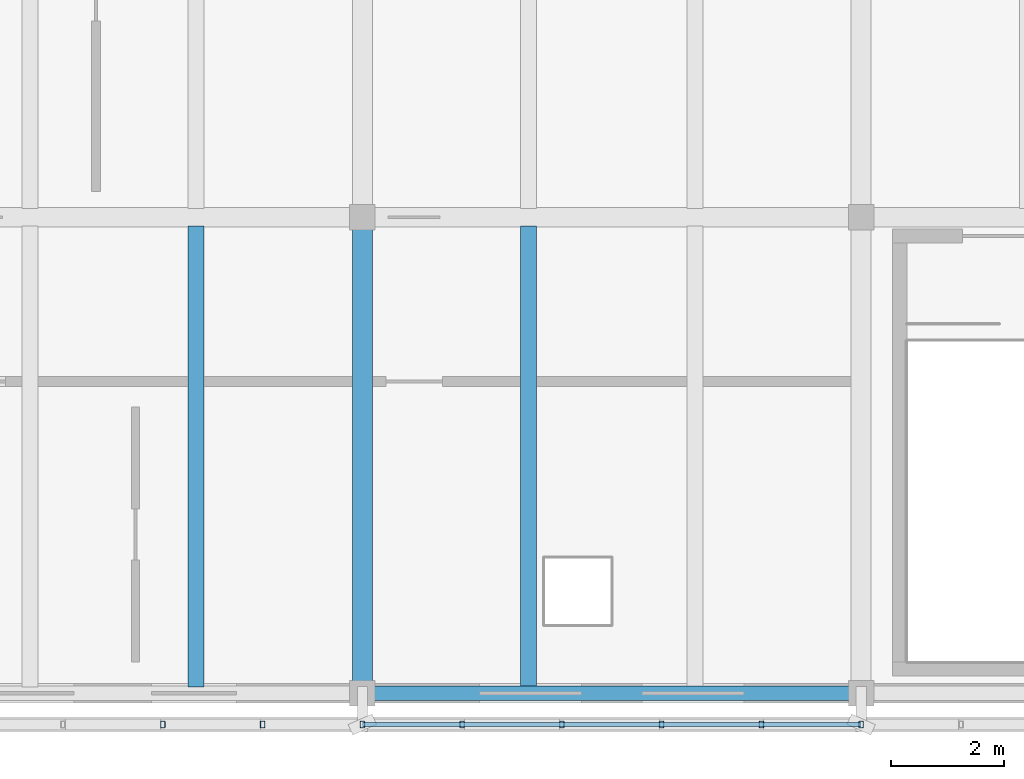
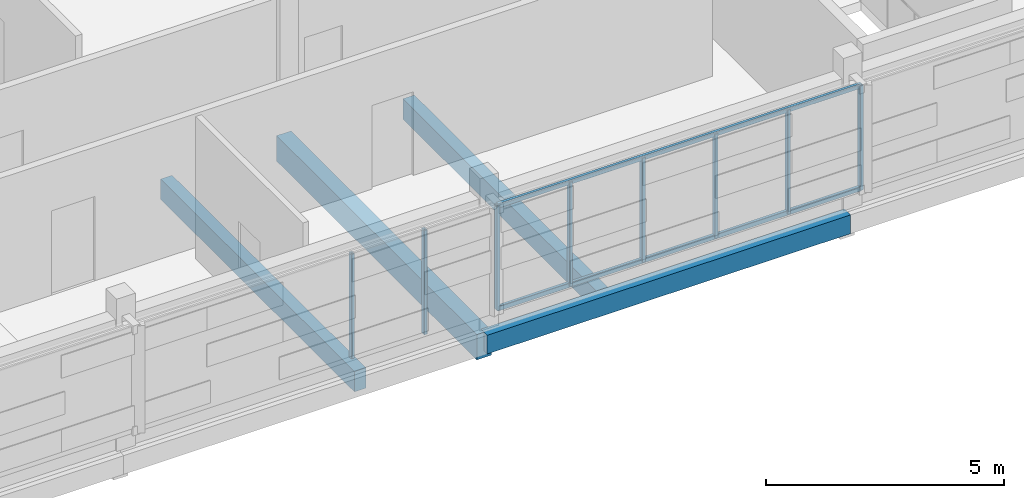
# One storey, part 25 of 117: 10 members, 4 beams.
"""IFC4 building model written with IfcOpenShell, lengths in metres."""

from ifc_helpers import new_model, si_unit, direction, frame, origin, origin_2d, place, context, subcontext, project, spatial, rectangle, hollow_rectangle, extrude, material, material_profile, profile_set, type_object, element, save


model = new_model("IFC4")

# Units and contexts
model_context = context("Model", 3, precision=1e-05, world=origin(), true_north=direction((0.0, 1.0)))
body_context = subcontext(model_context, "Body", "Model", "MODEL_VIEW")
ifc_project = project(units=[si_unit("LENGTHUNIT", "METRE"), si_unit("AREAUNIT", "SQUARE_METRE"), si_unit("VOLUMEUNIT", "CUBIC_METRE"), si_unit("PLANEANGLEUNIT", "RADIAN"), si_unit("MASSUNIT", "GRAM", prefix="KILO")], contexts=[model_context])

# Site, building, storey
site_placement = place(None, origin())
site = spatial("IfcSite", under=ifc_project, at=site_placement, CompositionType="ELEMENT")
building_placement = place(site_placement, origin())
building = spatial("IfcBuilding", under=site, at=building_placement, Name="Cinderway Yard Community Centre", CompositionType="ELEMENT")
storey_placement = place(building_placement, frame((0.0, 0.0, 9.0)))
storey = spatial("IfcBuildingStorey", under=building, at=storey_placement, Name="L02", CompositionType="ELEMENT", Elevation=9.0)

# Members
ifc_material_1 = material(Name="Steel S355", Category="steel")
ifc_material_profile_1 = material_profile(ifc_material_1, hollow_rectangle(XDim=0.080078125, YDim=0.1201171875, WallThickness=0.00634765625, InnerFilletRadius=0.00634765625, OuterFilletRadius=0.0126953125, at=origin_2d()), Name="Steel S355")
ifc_profile_set_1 = profile_set([ifc_material_profile_1], Name="Steel S355")
member_type = type_object("IfcMemberType", Name="ENV-MEM-SCREEN-RAIL-120", PredefinedType="STRINGER", material=ifc_profile_set_1)
for number, where, z_axis, x_axis, name in (
    (1, (89.280029296875, 5.449951171875, 0.68994140625), (0.0, 0.0, 1.0), (1.0, 0.0, 0.0), "Screen vertical mullion 0671"),
    (2, (91.0400390625, 5.449951171875, 0.68994140625), (0.0, 0.0, 1.0), (1.0, 0.0, 0.0), "Screen vertical mullion 0672"),
    (3, (92.800048828125, 5.449951171875, 0.68994140625), (0.0, 0.0, 1.0), (1.0, 0.0, 0.0), "Screen vertical mullion 0673"),
):
    element("IfcMember", number, at=place(storey_placement, frame(where, z_axis=z_axis, x_axis=x_axis)), inside=storey, type_object=member_type, Name=name, PredefinedType="STRINGER", context=body_context, shape_type="SweptSolid", body=[
        extrude(hollow_rectangle(XDim=0.080078125, YDim=0.1201171875, WallThickness=0.00634765625, InnerFilletRadius=0.00634765625, OuterFilletRadius=0.0126953125, at=origin_2d()), origin(), (0.0, 0.0, 1.0), 2.670166015625),
    ])
for number, where, z_axis, x_axis, name in (
    (4, (92.800048828125, 5.449951171875, 0.7099609375), (1.0, 0.0, 0.0), (0.0, 1.0, 0.0), "Screen support rail 0675-BOT"),
    (5, (92.800048828125, 5.449951171875, 3.340087890625), (1.0, 0.0, 0.0), (0.0, 1.0, 0.0), "Screen support rail 0676-TOP"),
):
    element("IfcMember", number, at=place(storey_placement, frame(where, z_axis=z_axis, x_axis=x_axis)), inside=storey, type_object=member_type, Name=name, PredefinedType="STRINGER", context=body_context, shape_type="SweptSolid", body=[
        extrude(hollow_rectangle(XDim=0.080078125, YDim=0.1201171875, WallThickness=0.00634765625, InnerFilletRadius=0.00634765625, OuterFilletRadius=0.0126953125, at=origin_2d()), origin(), (0.0, 0.0, 1.0), 8.800048828125),
    ])
for number, where, z_axis, x_axis, name in (
    (6, (94.56005859375, 5.449951171875, 0.68994140625), (0.0, 0.0, 1.0), (1.0, 0.0, 0.0), "Screen vertical mullion 0677"),
    (7, (96.320068359375, 5.449951171875, 0.68994140625), (0.0, 0.0, 1.0), (1.0, 0.0, 0.0), "Screen vertical mullion 0678"),
    (8, (98.080078125, 5.449951171875, 0.68994140625), (0.0, 0.0, 1.0), (1.0, 0.0, 0.0), "Screen vertical mullion 0679"),
    (9, (99.840087890625, 5.449951171875, 0.68994140625), (0.0, 0.0, 1.0), (1.0, 0.0, 0.0), "Screen vertical mullion 0680"),
    (10, (101.60009765625, 5.449951171875, 0.68994140625), (0.0, 0.0, 1.0), (1.0, 0.0, 0.0), "Screen vertical mullion 0681"),
):
    element("IfcMember", number, at=place(storey_placement, frame(where, z_axis=z_axis, x_axis=x_axis)), inside=storey, type_object=member_type, Name=name, PredefinedType="STRINGER", context=body_context, shape_type="SweptSolid", body=[
        extrude(hollow_rectangle(XDim=0.080078125, YDim=0.1201171875, WallThickness=0.00634765625, InnerFilletRadius=0.00634765625, OuterFilletRadius=0.0126953125, at=origin_2d()), origin(), (0.0, 0.0, 1.0), 2.670166015625),
    ])

# Beams
ifc_material_2 = material(Name="Concrete C40/50", Category="concrete")
ifc_material_profile_2 = material_profile(ifc_material_2, rectangle(XDim=0.260009765625, YDim=0.47998046875, at=origin_2d()), Name="Concrete C40/50")
ifc_profile_set_2 = profile_set([ifc_material_profile_2], Name="Concrete C40/50")
beam_type_1 = type_object("IfcBeamType", Name="STR-BM-RC260X480", PredefinedType="SPANDREL", material=ifc_profile_set_2)
beam_1_placement = place(storey_placement, frame((92.800048828125, 6.0, -0.47998046875), z_axis=(1.0, 0.0, 0.0), x_axis=(0.0, 1.0, 0.0)))
element("IfcBeam", 11, at=beam_1_placement, inside=storey, type_object=beam_type_1, Name="Primary girder STR-BM-L02-SP01-0439", PredefinedType="SPANDREL", context=body_context, shape_type="SweptSolid", body=[
    extrude(rectangle(XDim=0.260009765625, YDim=0.47998046875, at=origin_2d()), origin(), (0.0, 0.0, 1.0), 8.800048828125),
])
ifc_material_3 = material(Name="Concrete C35/45", Category="concrete")
ifc_material_profile_3 = material_profile(ifc_material_3, rectangle(XDim=0.280029296875, YDim=0.52001953125, at=origin_2d()), Name="Concrete C35/45")
ifc_profile_set_3 = profile_set([ifc_material_profile_3], Name="Concrete C35/45")
beam_type_2 = type_object("IfcBeamType", Name="STR-BM-RC280X520", PredefinedType="JOIST", material=ifc_profile_set_3)
for number, where, z_axis, x_axis, name in (
    (12, (89.866943359375, 6.112060546875, -0.5), (0.0, 1.0, 0.0), (-1.0, 0.0, 0.0), "Secondary joist STR-BM-L02-BJ04-0482"),
    (13, (95.73291015625, 6.112060546875, -0.5), (0.0, 1.0, 0.0), (-1.0, 0.0, 0.0), "Secondary joist STR-BM-L02-BJ04-0485"),
):
    element("IfcBeam", number, at=place(storey_placement, frame(where, z_axis=z_axis, x_axis=x_axis)), inside=storey, type_object=beam_type_2, Name=name, PredefinedType="JOIST", context=body_context, shape_type="SweptSolid", body=[
        extrude(rectangle(XDim=0.280029296875, YDim=0.52001953125, at=origin_2d()), origin(), (0.0, 0.0, 1.0), 8.130859375),
    ])
ifc_material_profile_4 = material_profile(ifc_material_3, rectangle(XDim=0.35009765625, YDim=0.64990234375, at=origin_2d()), Name="Concrete C35/45")
ifc_profile_set_4 = profile_set([ifc_material_profile_4], Name="Concrete C35/45")
beam_type_3 = type_object("IfcBeamType", Name="STR-BM-RC350X650", PredefinedType="BEAM", material=ifc_profile_set_4)
beam_2_placement = place(storey_placement, frame((92.800048828125, 6.0, -0.56494140625), z_axis=(0.0, 1.0, 0.0), x_axis=(-1.0, 0.0, 0.0)))
element("IfcBeam", 14, at=beam_2_placement, inside=storey, type_object=beam_type_3, Name="Transverse girder STR-BM-L02-BG08-0463", PredefinedType="BEAM", context=body_context, shape_type="SweptSolid", body=[
    extrude(rectangle(XDim=0.35009765625, YDim=0.64990234375, at=origin_2d()), origin(), (0.0, 0.0, 1.0), 8.39990234375),
])

save(model, "model.ifc")
